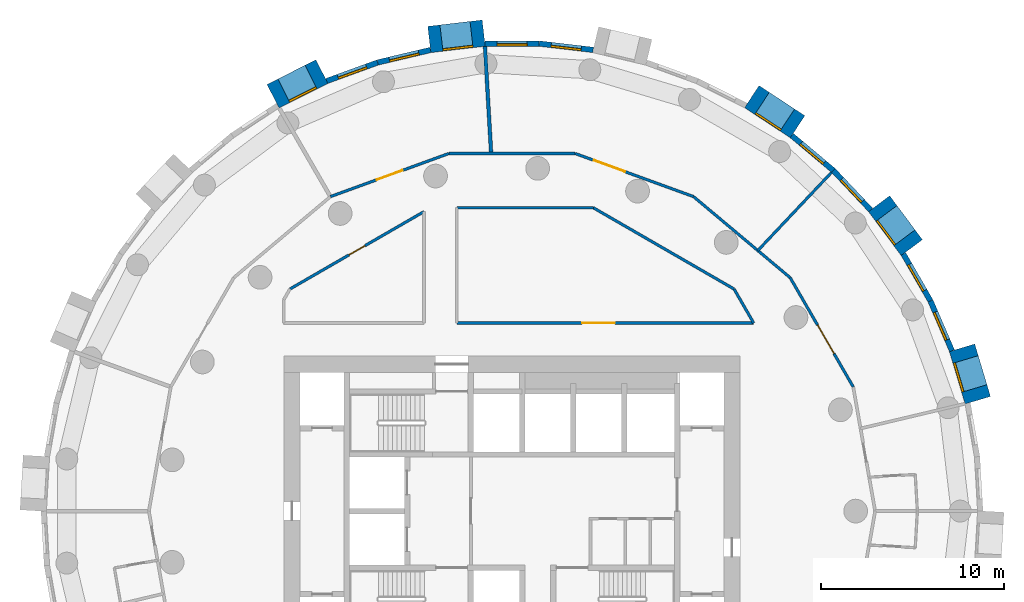
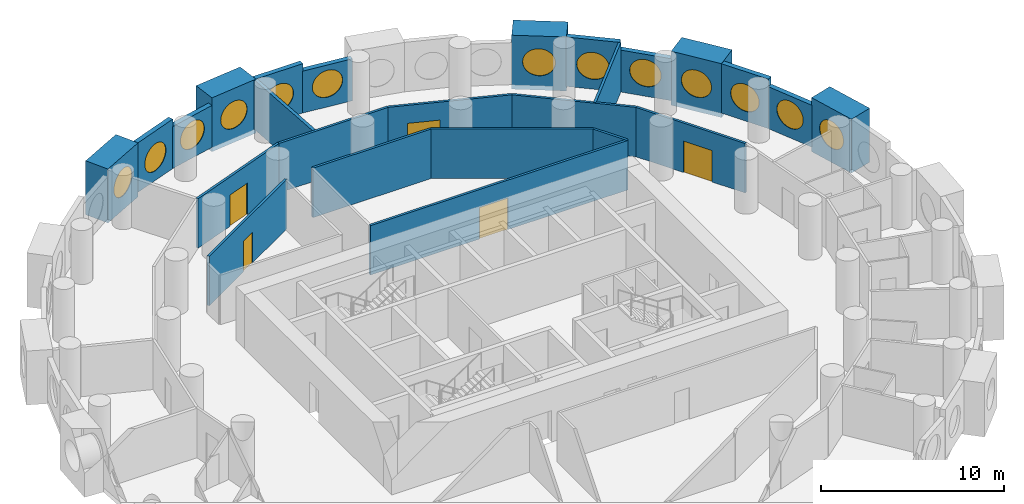
# One storey, part 7 of 9: 25 walls, 13 windows, 5 doors, 18 openings.
"""IFC4 building model written with IfcOpenShell, lengths in metres."""

from ifc_helpers import new_model, si_unit, direction, frame, frame_2d, origin, origin_2d, place, context, subcontext, project, spatial, rectangle, circle, extrude, material, layer, layer_set, type_object, element, fill, save


model = new_model("IFC4")

# Units and contexts
model_context = context("Model", 3, precision=1e-05, world=origin(), true_north=direction((0.0, 1.0)))
body_context = subcontext(model_context, "Body", "Model", "MODEL_VIEW")
ifc_project = project(units=[si_unit("LENGTHUNIT", "METRE"), si_unit("AREAUNIT", "SQUARE_METRE"), si_unit("VOLUMEUNIT", "CUBIC_METRE"), si_unit("PLANEANGLEUNIT", "RADIAN"), si_unit("MASSUNIT", "GRAM", prefix="KILO")], contexts=[model_context])

# Site, building, storey
site_placement = place(None, origin())
site = spatial("IfcSite", under=ifc_project, at=site_placement, CompositionType="ELEMENT")
building_placement = place(site_placement, origin())
building = spatial("IfcBuilding", under=site, at=building_placement, Name="Tracery Tower", CompositionType="ELEMENT")
storey_placement = place(building_placement, frame((0.0, 0.0, 190.800048828125)))
storey = spatial("IfcBuildingStorey", under=building, at=storey_placement, Name="L49", CompositionType="ELEMENT", Elevation=190.800048828125)

# Wall, opening, window
ifc_material_1 = material(Name="Precast concrete C50/60", Category="concrete")
ifc_layer_1 = layer(ifc_material_1, 1.449951171875)
ifc_layer_set_1 = layer_set([ifc_layer_1], Name="Deep-set bay unit 3000 x 3600, slab edge 300")
wall_type_1 = type_object("IfcWallType", Name="Deep-set bay unit 3000 x 3600, slab edge 300", PredefinedType="ELEMENTEDWALL", material=ifc_layer_set_1)
wall_1_placement = place(storey_placement, frame((25.509521484375, 6.0712890625, -0.300048828125), z_axis=(0.0, 0.0, 1.0), x_axis=(-0.286780420304, 0.957996341606, 0.0)))
wall_1 = element("IfcWall", 1, at=wall_1_placement, inside=storey, type_object=wall_type_1, Name="Deep-set bay unit 3 at L49", PredefinedType="ELEMENTEDWALL", context=body_context, shape_type="SweptSolid", body=[
    extrude(rectangle(XDim=3.0, YDim=1.449951171875, at=frame_2d((1.5, 0.0))), origin(), (0.0, 0.0, 1.0), 3.60009765625),
])
opening_1_placement = place(wall_1_placement, frame((1.5, 0.0, 1.85009765625)))
opening_1 = element("IfcOpeningElement", 2, at=opening_1_placement, cuts=wall_1, Name="Opening WN1", PredefinedType="OPENING", context=body_context, shape_type="SweptSolid", body=[
    extrude(circle(Radius=0.9000244140625, at=origin_2d()), frame((0.0, 0.73486328125, 0.0), z_axis=(0.0, -1.0, 0.0), x_axis=(1.0, 0.0, 0.0)), (0.0, 0.0, 1.0), 1.469970703125),
])
ifc_material_2 = material(Name="Aluminium frame with tinted double glazing", Category="aluminium")
window_type = type_object("IfcWindowType", Name="Round window 1800", PartitioningType="SINGLE_PANEL", PredefinedType="WINDOW", material=ifc_material_2)
window_1_placement = place(opening_1_placement, origin())
window_1 = element("IfcWindow", 3, at=window_1_placement, inside=storey, type_object=window_type, Name="Round window 3 at L49", OverallHeight=1.800048828125, OverallWidth=1.800048828125, PartitioningType="SINGLE_PANEL", PredefinedType="WINDOW", context=body_context, shape_type="SweptSolid", body=[
    extrude(circle(Radius=0.9000244140625, at=origin_2d()), frame((0.0, 0.69482421875, 0.0), z_axis=(0.0, -1.0, 0.0), x_axis=(1.0, 0.0, 0.0)), (0.0, 0.0, 1.0), 0.10009765625),
])
fill(opening_1, window_1)

wall_2_placement = place(storey_placement, frame((21.89453125, 14.429931640625, -0.300048828125), z_axis=(0.0, 0.0, 1.0), x_axis=(-0.597183717734, 0.802104486506, 0.0)))
wall_2 = element("IfcWall", 4, at=wall_2_placement, inside=storey, type_object=wall_type_1, Name="Deep-set bay unit 6 at L49", PredefinedType="ELEMENTEDWALL", context=body_context, shape_type="SweptSolid", body=[
    extrude(rectangle(XDim=3.0, YDim=1.449951171875, at=frame_2d((1.5, 0.0))), origin(), (0.0, 0.0, 1.0), 3.60009765625),
])
opening_2_placement = place(wall_2_placement, frame((1.5, 0.0, 1.85009765625)))
opening_2 = element("IfcOpeningElement", 5, at=opening_2_placement, cuts=wall_2, Name="Opening WN1", PredefinedType="OPENING", context=body_context, shape_type="SweptSolid", body=[
    extrude(circle(Radius=0.9000244140625, at=origin_2d()), frame((0.0, 0.73486328125, 0.0), z_axis=(0.0, -1.0, 0.0), x_axis=(1.0, 0.0, 0.0)), (0.0, 0.0, 1.0), 1.469970703125),
])
window_2_placement = place(opening_2_placement, origin())
window_2 = element("IfcWindow", 6, at=window_2_placement, inside=storey, type_object=window_type, Name="Round window 6 at L49", OverallHeight=1.800048828125, OverallWidth=1.800048828125, PartitioningType="SINGLE_PANEL", PredefinedType="WINDOW", context=body_context, shape_type="SweptSolid", body=[
    extrude(circle(Radius=0.9000244140625, at=origin_2d()), frame((0.0, 0.69482421875, 0.0), z_axis=(0.0, -1.0, 0.0), x_axis=(1.0, 0.0, 0.0)), (0.0, 0.0, 1.0), 0.10009765625),
])
fill(opening_2, window_2)

wall_3_placement = place(storey_placement, frame((15.638916015625, 21.048095703125, -0.300048828125), z_axis=(0.0, 0.0, 1.0), x_axis=(-0.835514416706, 0.549468524554, 0.0)))
wall_3 = element("IfcWall", 7, at=wall_3_placement, inside=storey, type_object=wall_type_1, Name="Deep-set bay unit 9 at L49", PredefinedType="ELEMENTEDWALL", context=body_context, shape_type="SweptSolid", body=[
    extrude(rectangle(XDim=3.0, YDim=1.449951171875, at=frame_2d((1.5, 0.0))), origin(), (0.0, 0.0, 1.0), 3.60009765625),
])
opening_3_placement = place(wall_3_placement, frame((1.5, 0.0, 1.85009765625)))
opening_3 = element("IfcOpeningElement", 8, at=opening_3_placement, cuts=wall_3, Name="Opening WN1", PredefinedType="OPENING", context=body_context, shape_type="SweptSolid", body=[
    extrude(circle(Radius=0.9000244140625, at=origin_2d()), frame((0.0, 0.73486328125, 0.0), z_axis=(0.0, -1.0, 0.0), x_axis=(1.0, 0.0, 0.0)), (0.0, 0.0, 1.0), 1.469970703125),
])
window_3_placement = place(opening_3_placement, origin())
window_3 = element("IfcWindow", 9, at=window_3_placement, inside=storey, type_object=window_type, Name="Round window 9 at L49", OverallHeight=1.800048828125, OverallWidth=1.800048828125, PartitioningType="SINGLE_PANEL", PredefinedType="WINDOW", context=body_context, shape_type="SweptSolid", body=[
    extrude(circle(Radius=0.9000244140625, at=origin_2d()), frame((0.0, 0.69482421875, 0.0), z_axis=(0.0, -1.0, 0.0), x_axis=(1.0, 0.0, 0.0)), (0.0, 0.0, 1.0), 0.10009765625),
])
fill(opening_3, window_3)

wall_4_placement = place(storey_placement, frame((-1.54931640625, 26.17626953125, -0.300048828125), z_axis=(0.0, 0.0, 1.0), x_axis=(-0.9932342274, -0.116128246006, 0.0)))
wall_4 = element("IfcWall", 10, at=wall_4_placement, inside=storey, type_object=wall_type_1, Name="Deep-set bay unit 15 at L49", PredefinedType="ELEMENTEDWALL", context=body_context, shape_type="SweptSolid", body=[
    extrude(rectangle(XDim=3.0, YDim=1.449951171875, at=frame_2d((1.5, 0.0))), origin(), (0.0, 0.0, 1.0), 3.60009765625),
])
opening_4_placement = place(wall_4_placement, frame((1.5, 0.0, 1.85009765625)))
opening_4 = element("IfcOpeningElement", 11, at=opening_4_placement, cuts=wall_4, Name="Opening WN1", PredefinedType="OPENING", context=body_context, shape_type="SweptSolid", body=[
    extrude(circle(Radius=0.9000244140625, at=origin_2d()), frame((0.0, 0.73486328125, 0.0), z_axis=(0.0, -1.0, 0.0), x_axis=(1.0, 0.0, 0.0)), (0.0, 0.0, 1.0), 1.469970703125),
])
window_4_placement = place(opening_4_placement, origin())
window_4 = element("IfcWindow", 12, at=window_4_placement, inside=storey, type_object=window_type, Name="Round window 15 at L49", OverallHeight=1.800048828125, OverallWidth=1.800048828125, PartitioningType="SINGLE_PANEL", PredefinedType="WINDOW", context=body_context, shape_type="SweptSolid", body=[
    extrude(circle(Radius=0.9000244140625, at=origin_2d()), frame((0.0, 0.69482421875, 0.0), z_axis=(0.0, -1.0, 0.0), x_axis=(1.0, 0.0, 0.0)), (0.0, 0.0, 1.0), 0.10009765625),
])
fill(opening_4, window_4)

wall_5_placement = place(storey_placement, frame((-10.40869140625, 24.067626953125, -0.300048828125), z_axis=(0.0, 0.0, 1.0), x_axis=(-0.893628249713, -0.448807922518, 0.0)))
wall_5 = element("IfcWall", 13, at=wall_5_placement, inside=storey, type_object=wall_type_1, Name="Deep-set bay unit 18 at L49", PredefinedType="ELEMENTEDWALL", context=body_context, shape_type="SweptSolid", body=[
    extrude(rectangle(XDim=3.0, YDim=1.449951171875, at=frame_2d((1.5, 0.0))), origin(), (0.0, 0.0, 1.0), 3.60009765625),
])
opening_5_placement = place(wall_5_placement, frame((1.5, 0.0, 1.85009765625)))
opening_5 = element("IfcOpeningElement", 14, at=opening_5_placement, cuts=wall_5, Name="Opening WN1", PredefinedType="OPENING", context=body_context, shape_type="SweptSolid", body=[
    extrude(circle(Radius=0.9000244140625, at=origin_2d()), frame((0.0, 0.73486328125, 0.0), z_axis=(0.0, -1.0, 0.0), x_axis=(1.0, 0.0, 0.0)), (0.0, 0.0, 1.0), 1.469970703125),
])
window_5_placement = place(opening_5_placement, origin())
window_5 = element("IfcWindow", 15, at=window_5_placement, inside=storey, type_object=window_type, Name="Round window 18 at L49", OverallHeight=1.800048828125, OverallWidth=1.800048828125, PartitioningType="SINGLE_PANEL", PredefinedType="WINDOW", context=body_context, shape_type="SweptSolid", body=[
    extrude(circle(Radius=0.9000244140625, at=origin_2d()), frame((0.0, 0.69482421875, 0.0), z_axis=(0.0, -1.0, 0.0), x_axis=(1.0, 0.0, 0.0)), (0.0, 0.0, 1.0), 0.10009765625),
])
fill(opening_5, window_5)

ifc_material_3 = material(Name="Precast concrete C50/60", Category="concrete")
ifc_layer_2 = layer(ifc_material_3, 0.300048828125)
ifc_layer_set_2 = layer_set([ifc_layer_2], Name="Facade panel 3000 x 2800")
wall_type_2 = type_object("IfcWallType", Name="Facade panel 3000 x 2800", PredefinedType="SOLIDWALL", material=ifc_layer_set_2)
wall_6_placement = place(storey_placement, frame((24.096923828125, 8.78076171875, 0.0), z_axis=(0.0, 0.0, 1.0), x_axis=(-0.396078892785, 0.918216483565, 0.0)))
wall_6 = element("IfcWall", 16, at=wall_6_placement, inside=storey, type_object=wall_type_2, Name="Facade panel 4 at L49", PredefinedType="SOLIDWALL", context=body_context, shape_type="SweptSolid", body=[
    extrude(rectangle(XDim=2.972900390625, YDim=0.300048828125, at=frame_2d((1.486328125, 0.0))), origin(), (0.0, 0.0, 1.0), 2.800048828125),
])
opening_6_placement = place(wall_6_placement, frame((1.486328125, 0.0, 1.5498046875)))
opening_6 = element("IfcOpeningElement", 17, at=opening_6_placement, cuts=wall_6, Name="Opening WN1", PredefinedType="OPENING", context=body_context, shape_type="SweptSolid", body=[
    extrude(circle(Radius=0.9000244140625, at=origin_2d()), frame((0.0, 0.159912109375, 0.0), z_axis=(0.0, -1.0, 0.0), x_axis=(1.0, 0.0, 0.0)), (0.0, 0.0, 1.0), 0.320068359375),
])
window_6_placement = place(opening_6_placement, origin())
window_6 = element("IfcWindow", 18, at=window_6_placement, inside=storey, type_object=window_type, Name="Round window 4 at L49", OverallHeight=1.800048828125, OverallWidth=1.800048828125, PartitioningType="SINGLE_PANEL", PredefinedType="WINDOW", context=body_context, shape_type="SweptSolid", body=[
    extrude(circle(Radius=0.9000244140625, at=origin_2d()), frame((0.0, 0.1201171875, 0.0), z_axis=(0.0, -1.0, 0.0), x_axis=(1.0, 0.0, 0.0)), (0.0, 0.0, 1.0), 0.10009765625),
])
fill(opening_6, window_6)

wall_7_placement = place(storey_placement, frame((19.640380859375, 16.492919921875, 0.0), z_axis=(0.0, 0.0, 1.0), x_axis=(-0.686235184166, 0.727379730273, 0.0)))
wall_7 = element("IfcWall", 19, at=wall_7_placement, inside=storey, type_object=wall_type_2, Name="Facade panel 7 at L49", PredefinedType="SOLIDWALL", context=body_context, shape_type="SweptSolid", body=[
    extrude(rectangle(XDim=2.972900390625, YDim=0.300048828125, at=frame_2d((1.486328125, 0.0))), origin(), (0.0, 0.0, 1.0), 2.800048828125),
])
opening_7_placement = place(wall_7_placement, frame((1.486328125, 0.0, 1.5498046875)))
opening_7 = element("IfcOpeningElement", 20, at=opening_7_placement, cuts=wall_7, Name="Opening WN1", PredefinedType="OPENING", context=body_context, shape_type="SweptSolid", body=[
    extrude(circle(Radius=0.9000244140625, at=origin_2d()), frame((0.0, 0.159912109375, 0.0), z_axis=(0.0, -1.0, 0.0), x_axis=(1.0, 0.0, 0.0)), (0.0, 0.0, 1.0), 0.320068359375),
])
window_7_placement = place(opening_7_placement, origin())
window_7 = element("IfcWindow", 21, at=window_7_placement, inside=storey, type_object=window_type, Name="Round window 7 at L49", OverallHeight=1.800048828125, OverallWidth=1.800048828125, PartitioningType="SINGLE_PANEL", PredefinedType="WINDOW", context=body_context, shape_type="SweptSolid", body=[
    extrude(circle(Radius=0.9000244140625, at=origin_2d()), frame((0.0, 0.1201171875, 0.0), z_axis=(0.0, -1.0, 0.0), x_axis=(1.0, 0.0, 0.0)), (0.0, 0.0, 1.0), 0.10009765625),
])
fill(opening_7, window_7)

wall_8_placement = place(storey_placement, frame((4.444091796875, 25.259033203125, 0.0), z_axis=(0.0, 0.0, 1.0), x_axis=(-0.993245010522, 0.1160359818, 0.0)))
wall_8 = element("IfcWall", 22, at=wall_8_placement, inside=storey, type_object=wall_type_2, Name="Facade panel 13 at L49", PredefinedType="SOLIDWALL", context=body_context, shape_type="SweptSolid", body=[
    extrude(rectangle(XDim=2.972900390625, YDim=0.300048828125, at=frame_2d((1.486328125, 0.0))), origin(), (0.0, 0.0, 1.0), 2.800048828125),
])
opening_8_placement = place(wall_8_placement, frame((1.486328125, 0.0, 1.5498046875)))
opening_8 = element("IfcOpeningElement", 23, at=opening_8_placement, cuts=wall_8, Name="Opening WN1", PredefinedType="OPENING", context=body_context, shape_type="SweptSolid", body=[
    extrude(circle(Radius=0.9000244140625, at=origin_2d()), frame((0.0, 0.159912109375, 0.0), z_axis=(0.0, -1.0, 0.0), x_axis=(1.0, 0.0, 0.0)), (0.0, 0.0, 1.0), 0.320068359375),
])
window_8_placement = place(opening_8_placement, origin())
window_8 = element("IfcWindow", 24, at=window_8_placement, inside=storey, type_object=window_type, Name="Round window 13 at L49", OverallHeight=1.800048828125, OverallWidth=1.800048828125, PartitioningType="SINGLE_PANEL", PredefinedType="WINDOW", context=body_context, shape_type="SweptSolid", body=[
    extrude(circle(Radius=0.9000244140625, at=origin_2d()), frame((0.0, 0.1201171875, 0.0), z_axis=(0.0, -1.0, 0.0), x_axis=(1.0, 0.0, 0.0)), (0.0, 0.0, 1.0), 0.10009765625),
])
fill(opening_8, window_8)

wall_9_placement = place(storey_placement, frame((-4.463134765625, 25.255615234375, 0.0), z_axis=(0.0, 0.0, 1.0), x_axis=(-0.973045378923, -0.230613725862, 0.0)))
wall_9 = element("IfcWall", 25, at=wall_9_placement, inside=storey, type_object=wall_type_2, Name="Facade panel 16 at L49", PredefinedType="SOLIDWALL", context=body_context, shape_type="SweptSolid", body=[
    extrude(rectangle(XDim=2.97265625, YDim=0.300048828125, at=frame_2d((1.486328125, 0.0))), origin(), (0.0, 0.0, 1.0), 2.800048828125),
])
opening_9_placement = place(wall_9_placement, frame((1.486328125, 0.0, 1.5498046875)))
opening_9 = element("IfcOpeningElement", 26, at=opening_9_placement, cuts=wall_9, Name="Opening WN1", PredefinedType="OPENING", context=body_context, shape_type="SweptSolid", body=[
    extrude(circle(Radius=0.9000244140625, at=origin_2d()), frame((0.0, 0.159912109375, 0.0), z_axis=(0.0, -1.0, 0.0), x_axis=(1.0, 0.0, 0.0)), (0.0, 0.0, 1.0), 0.320068359375),
])
window_9_placement = place(opening_9_placement, origin())
window_9 = element("IfcWindow", 27, at=window_9_placement, inside=storey, type_object=window_type, Name="Round window 16 at L49", OverallHeight=1.800048828125, OverallWidth=1.800048828125, PartitioningType="SINGLE_PANEL", PredefinedType="WINDOW", context=body_context, shape_type="SweptSolid", body=[
    extrude(circle(Radius=0.9000244140625, at=origin_2d()), frame((0.0, 0.1201171875, 0.0), z_axis=(0.0, -1.0, 0.0), x_axis=(1.0, 0.0, 0.0)), (0.0, 0.0, 1.0), 0.10009765625),
])
fill(opening_9, window_9)

ifc_material_4 = material(Name="Precast concrete C50/60", Category="concrete")
ifc_layer_3 = layer(ifc_material_4, 0.300048828125)
ifc_layer_set_3 = layer_set([ifc_layer_3], Name="Facade panel 3000 x 3300")
wall_type_3 = type_object("IfcWallType", Name="Facade panel 3000 x 3300", PredefinedType="SOLIDWALL", material=ifc_layer_set_3)
wall_10_placement = place(storey_placement, frame((22.91943359375, 11.510498046875, 0.0), z_axis=(0.0, 0.0, 1.0), x_axis=(-0.500016263033, 0.866016014115, 0.0)))
wall_10 = element("IfcWall", 28, at=wall_10_placement, inside=storey, type_object=wall_type_3, Name="Facade panel 5 at L49", PredefinedType="SOLIDWALL", context=body_context, shape_type="SweptSolid", body=[
    extrude(rectangle(XDim=2.97314453125, YDim=0.300048828125, at=frame_2d((1.486572265625, 0.0))), origin(), (0.0, 0.0, 1.0), 3.300048828125),
])
opening_10_placement = place(wall_10_placement, frame((1.486328125, 0.0, 1.5498046875)))
opening_10 = element("IfcOpeningElement", 29, at=opening_10_placement, cuts=wall_10, Name="Opening WN1", PredefinedType="OPENING", context=body_context, shape_type="SweptSolid", body=[
    extrude(circle(Radius=0.9000244140625, at=origin_2d()), frame((0.0, 0.159912109375, 0.0), z_axis=(0.0, -1.0, 0.0), x_axis=(1.0, 0.0, 0.0)), (0.0, 0.0, 1.0), 0.320068359375),
])
window_10_placement = place(opening_10_placement, origin())
window_10 = element("IfcWindow", 30, at=window_10_placement, inside=storey, type_object=window_type, Name="Round window 5 at L49", OverallHeight=1.800048828125, OverallWidth=1.800048828125, PartitioningType="SINGLE_PANEL", PredefinedType="WINDOW", context=body_context, shape_type="SweptSolid", body=[
    extrude(circle(Radius=0.9000244140625, at=origin_2d()), frame((0.0, 0.1201171875, 0.0), z_axis=(0.0, -1.0, 0.0), x_axis=(1.0, 0.0, 0.0)), (0.0, 0.0, 1.0), 0.10009765625),
])
fill(opening_10, window_10)

wall_11_placement = place(storey_placement, frame((17.600341796875, 18.6552734375, 0.0), z_axis=(0.0, 0.0, 1.0), x_axis=(-0.766049350637, 0.642781761089, 0.0)))
wall_11 = element("IfcWall", 31, at=wall_11_placement, inside=storey, type_object=wall_type_3, Name="Facade panel 8 at L49", PredefinedType="SOLIDWALL", context=body_context, shape_type="SweptSolid", body=[
    extrude(rectangle(XDim=2.972900390625, YDim=0.300048828125, at=frame_2d((1.486328125, 0.0))), origin(), (0.0, 0.0, 1.0), 3.300048828125),
])
opening_11_placement = place(wall_11_placement, frame((1.486328125, 0.0, 1.5498046875)))
opening_11 = element("IfcOpeningElement", 32, at=opening_11_placement, cuts=wall_11, Name="Opening WN1", PredefinedType="OPENING", context=body_context, shape_type="SweptSolid", body=[
    extrude(circle(Radius=0.9000244140625, at=origin_2d()), frame((0.0, 0.159912109375, 0.0), z_axis=(0.0, -1.0, 0.0), x_axis=(1.0, 0.0, 0.0)), (0.0, 0.0, 1.0), 0.320068359375),
])
window_11_placement = place(opening_11_placement, origin())
window_11 = element("IfcWindow", 33, at=window_11_placement, inside=storey, type_object=window_type, Name="Round window 8 at L49", OverallHeight=1.800048828125, OverallWidth=1.800048828125, PartitioningType="SINGLE_PANEL", PredefinedType="WINDOW", context=body_context, shape_type="SweptSolid", body=[
    extrude(circle(Radius=0.9000244140625, at=origin_2d()), frame((0.0, 0.1201171875, 0.0), z_axis=(0.0, -1.0, 0.0), x_axis=(1.0, 0.0, 0.0)), (0.0, 0.0, 1.0), 0.10009765625),
])
fill(opening_11, window_11)

wall_12_placement = place(storey_placement, frame((1.4912109375, 25.60400390625, 0.0), z_axis=(0.0, 0.0, 1.0), x_axis=(-1.0, 0.0, 0.0)))
wall_12 = element("IfcWall", 34, at=wall_12_placement, inside=storey, type_object=wall_type_3, Name="Facade panel 14 at L49", PredefinedType="SOLIDWALL", context=body_context, shape_type="SweptSolid", body=[
    extrude(rectangle(XDim=2.972900390625, YDim=0.300048828125, at=frame_2d((1.486328125, 0.0))), origin(), (0.0, 0.0, 1.0), 3.300048828125),
])
opening_12_placement = place(wall_12_placement, frame((1.486328125, 0.0, 1.5498046875)))
opening_12 = element("IfcOpeningElement", 35, at=opening_12_placement, cuts=wall_12, Name="Opening WN1", PredefinedType="OPENING", context=body_context, shape_type="SweptSolid", body=[
    extrude(circle(Radius=0.9000244140625, at=origin_2d()), frame((0.0, 0.159912109375, 0.0), z_axis=(0.0, -1.0, 0.0), x_axis=(1.0, 0.0, 0.0)), (0.0, 0.0, 1.0), 0.320068359375),
])
window_12_placement = place(opening_12_placement, origin())
window_12 = element("IfcWindow", 36, at=window_12_placement, inside=storey, type_object=window_type, Name="Round window 14 at L49", OverallHeight=1.800048828125, OverallWidth=1.800048828125, PartitioningType="SINGLE_PANEL", PredefinedType="WINDOW", context=body_context, shape_type="SweptSolid", body=[
    extrude(circle(Radius=0.9000244140625, at=origin_2d()), frame((0.0, 0.1201171875, 0.0), z_axis=(0.0, -1.0, 0.0), x_axis=(1.0, 0.0, 0.0)), (0.0, 0.0, 1.0), 0.10009765625),
])
fill(opening_12, window_12)

wall_13_placement = place(storey_placement, frame((-7.355712890625, 24.570068359375, 0.0), z_axis=(0.0, 0.0, 1.0), x_axis=(-0.939690282133, -0.342026568652, 0.0)))
wall_13 = element("IfcWall", 37, at=wall_13_placement, inside=storey, type_object=wall_type_3, Name="Facade panel 17 at L49", PredefinedType="SOLIDWALL", context=body_context, shape_type="SweptSolid", body=[
    extrude(rectangle(XDim=2.972900390625, YDim=0.300048828125, at=frame_2d((1.486328125, 0.0))), origin(), (0.0, 0.0, 1.0), 3.300048828125),
])
opening_13_placement = place(wall_13_placement, frame((1.486328125, 0.0, 1.5498046875)))
opening_13 = element("IfcOpeningElement", 38, at=opening_13_placement, cuts=wall_13, Name="Opening WN1", PredefinedType="OPENING", context=body_context, shape_type="SweptSolid", body=[
    extrude(circle(Radius=0.9000244140625, at=origin_2d()), frame((0.0, 0.159912109375, 0.0), z_axis=(0.0, -1.0, 0.0), x_axis=(1.0, 0.0, 0.0)), (0.0, 0.0, 1.0), 0.320068359375),
])
window_13_placement = place(opening_13_placement, origin())
window_13 = element("IfcWindow", 39, at=window_13_placement, inside=storey, type_object=window_type, Name="Round window 17 at L49", OverallHeight=1.800048828125, OverallWidth=1.800048828125, PartitioningType="SINGLE_PANEL", PredefinedType="WINDOW", context=body_context, shape_type="SweptSolid", body=[
    extrude(circle(Radius=0.9000244140625, at=origin_2d()), frame((0.0, 0.1201171875, 0.0), z_axis=(0.0, -1.0, 0.0), x_axis=(1.0, 0.0, 0.0)), (0.0, 0.0, 1.0), 0.10009765625),
])
fill(opening_13, window_13)

# Wall
ifc_material_5 = material(Name="Plasterboard on steel studs", Category="steel")
ifc_layer_4 = layer(ifc_material_5, 0.14990234375)
ifc_layer_set_4 = layer_set([ifc_layer_4], Name="Partition 150 acoustic unit wall")
wall_type_4 = type_object("IfcWallType", Name="Partition 150 acoustic unit wall", PredefinedType="PARTITIONING", material=ifc_layer_set_4)
wall_14_placement = place(storey_placement, frame((13.462890625, 14.27001953125, 0.0), z_axis=(0.0, 0.0, 1.0), x_axis=(0.6862502776, 0.72736549031, 0.0)))
element("IfcWall", 40, at=wall_14_placement, inside=storey, type_object=wall_type_4, Name="Unit wall RB7-044", PredefinedType="PARTITIONING", context=body_context, shape_type="SweptSolid", body=[
    extrude(rectangle(XDim=5.878662109375, YDim=0.14990234375, at=frame_2d((2.939453125, 0.0))), origin(), (0.0, 0.0, 1.0), 3.300048828125),
])

# Wall, opening, door
ifc_material_6 = material(Name="Plasterboard on steel studs", Category="steel")
ifc_layer_5 = layer(ifc_material_6, 0.14990234375)
ifc_layer_set_5 = layer_set([ifc_layer_5], Name="Partition 150 corridor wall")
wall_type_5 = type_object("IfcWallType", Name="Partition 150 corridor wall", PredefinedType="PARTITIONING", material=ifc_layer_set_5)
wall_15_placement = place(storey_placement, frame((-3.02490234375, 10.300048828125, 0.0), z_axis=(0.0, 0.0, 1.0), x_axis=(1.0, 0.0, 0.0)))
wall_15 = element("IfcWall", 41, at=wall_15_placement, inside=storey, type_object=wall_type_5, Name="Corridor wall RB7-002", PredefinedType="PARTITIONING", context=body_context, shape_type="SweptSolid", body=[
    extrude(rectangle(XDim=16.261962890625, YDim=0.14990234375, at=frame_2d((8.130859375, 0.0))), origin(), (0.0, 0.0, 1.0), 3.300048828125),
])
opening_14_placement = place(wall_15_placement, frame((6.863037109375, 0.0, 0.0)))
opening_14 = element("IfcOpeningElement", 42, at=opening_14_placement, cuts=wall_15, Name="Opening RB7-02", PredefinedType="OPENING", context=body_context, shape_type="SweptSolid", body=[
    extrude(rectangle(XDim=1.800048828125, YDim=2.10009765625, at=frame_2d((0.89990234375, 1.050048828125))), frame((0.0, 0.074951171875, 0.0), z_axis=(0.0, -1.0, 0.0), x_axis=(1.0, 0.0, 0.0)), (0.0, 0.0, 1.0), 0.14990234375),
])
ifc_material_7 = material(Name="Timber door leaf", Category="wood")
door_type_1 = type_object("IfcDoorType", Name="Door double lounge 1800", OperationType="NOTDEFINED", PredefinedType="DOOR", material=ifc_material_7)
door_1_placement = place(opening_14_placement, origin())
door_1 = element("IfcDoor", 43, at=door_1_placement, inside=storey, type_object=door_type_1, Name="Double lounge door RB7-02", OperationType="DOUBLE_DOOR_SINGLE_SWING", OverallHeight=2.10009765625, OverallWidth=1.800048828125, PredefinedType="DOOR", context=body_context, shape_type="SweptSolid", body=[
    extrude(rectangle(XDim=1.800048828125, YDim=2.10009765625, at=frame_2d((0.89990234375, 1.050048828125))), frame((0.0, 0.02490234375, 0.0), z_axis=(0.0, -1.0, 0.0), x_axis=(1.0, 0.0, 0.0)), (0.0, 0.0, 1.0), 0.050048828125),
])
fill(opening_14, door_1)

# Walls
wall_16_placement = place(storey_placement, frame((12.162109375, 12.162109375, 0.0), z_axis=(0.0, 0.0, 1.0), x_axis=(0.499961633463, -0.866047553582, 0.0)))
element("IfcWall", 44, at=wall_16_placement, inside=storey, type_object=wall_type_5, Name="Corridor wall RB7-005", PredefinedType="PARTITIONING", context=body_context, shape_type="SweptSolid", body=[
    extrude(rectangle(XDim=2.150146484375, YDim=0.14990234375, at=frame_2d((1.0751953125, 0.0))), origin(), (0.0, 0.0, 1.0), 3.300048828125),
])
wall_17_placement = place(storey_placement, frame((9.943359375, 17.22216796875, 0.0), z_axis=(0.0, 0.0, 1.0), x_axis=(0.766192104565, -0.642611592567, 0.0)))
element("IfcWall", 45, at=wall_17_placement, inside=storey, type_object=wall_type_5, Name="Corridor wall RB7-008", PredefinedType="PARTITIONING", context=body_context, shape_type="SweptSolid", body=[
    extrude(rectangle(XDim=6.906494140625, YDim=0.14990234375, at=frame_2d((3.453125, 0.0))), origin(), (0.0, 0.0, 1.0), 3.300048828125),
])

# Wall, opening, door
wall_18_placement = place(storey_placement, frame((15.235107421875, 12.783935546875, 0.0), z_axis=(0.0, 0.0, 1.0), x_axis=(0.499914202267, -0.866074933462, 0.0)))
wall_18 = element("IfcWall", 46, at=wall_18_placement, inside=storey, type_object=wall_type_5, Name="Corridor wall RB7-009", PredefinedType="PARTITIONING", context=body_context, shape_type="SweptSolid", body=[
    extrude(rectangle(XDim=6.906982421875, YDim=0.14990234375, at=frame_2d((3.45361328125, 0.0))), origin(), (0.0, 0.0, 1.0), 3.300048828125),
])
opening_15_placement = place(wall_18_placement, frame((3.00390625, 0.0, 0.0)))
opening_15 = element("IfcOpeningElement", 47, at=opening_15_placement, cuts=wall_18, Name="Opening RB7-07", PredefinedType="OPENING", context=body_context, shape_type="SweptSolid", body=[
    extrude(rectangle(XDim=1.800048828125, YDim=2.10009765625, at=frame_2d((0.89990234375, 1.050048828125))), frame((0.0, 0.074951171875, 0.0), z_axis=(0.0, -1.0, 0.0), x_axis=(1.0, 0.0, 0.0)), (0.0, 0.0, 1.0), 0.14990234375),
])
door_2_placement = place(opening_15_placement, origin())
door_2 = element("IfcDoor", 48, at=door_2_placement, inside=storey, type_object=door_type_1, Name="Double lounge door RB7-07", OperationType="DOUBLE_DOOR_SINGLE_SWING", OverallHeight=2.10009765625, OverallWidth=1.800048828125, PredefinedType="DOOR", context=body_context, shape_type="SweptSolid", body=[
    extrude(rectangle(XDim=1.800048828125, YDim=2.10009765625, at=frame_2d((0.89990234375, 1.050048828125))), frame((0.0, 0.02490234375, 0.0), z_axis=(0.0, -1.0, 0.0), x_axis=(1.0, 0.0, 0.0)), (0.0, 0.0, 1.0), 0.050048828125),
])
fill(opening_15, door_2)

wall_19_placement = place(storey_placement, frame((-12.162109375, 12.162109375, 0.0), z_axis=(0.0, 0.0, 1.0), x_axis=(0.866004766557, 0.500035743023, 0.0)))
wall_19 = element("IfcWall", 49, at=wall_19_placement, inside=storey, type_object=wall_type_5, Name="Corridor wall RB7-015", PredefinedType="PARTITIONING", context=body_context, shape_type="SweptSolid", body=[
    extrude(rectangle(XDim=8.47705078125, YDim=0.14990234375, at=frame_2d((4.238525390625, 0.0))), origin(), (0.0, 0.0, 1.0), 3.300048828125),
])
opening_16_placement = place(wall_19_placement, frame((3.739013671875, 0.0, 0.0)))
opening_16 = element("IfcOpeningElement", 50, at=opening_16_placement, cuts=wall_19, Name="Opening RB7-01", PredefinedType="OPENING", context=body_context, shape_type="SweptSolid", body=[
    extrude(rectangle(XDim=1.0, YDim=2.0400390625, at=frame_2d((0.5, 1.02001953125))), frame((0.0, 0.074951171875, 0.0), z_axis=(0.0, -1.0, 0.0), x_axis=(1.0, 0.0, 0.0)), (0.0, 0.0, 1.0), 0.14990234375),
])
ifc_material_8 = material(Name="Timber door leaf", Category="wood")
door_type_2 = type_object("IfcDoorType", Name="Door communal room 1000", OperationType="NOTDEFINED", PredefinedType="DOOR", material=ifc_material_8)
door_3_placement = place(opening_16_placement, origin())
door_3 = element("IfcDoor", 51, at=door_3_placement, inside=storey, type_object=door_type_2, Name="Communal room door RB7-01", OperationType="SINGLE_SWING_LEFT", OverallHeight=2.0400390625, OverallWidth=1.0, PredefinedType="DOOR", context=body_context, shape_type="SweptSolid", body=[
    extrude(rectangle(XDim=1.0, YDim=2.0400390625, at=frame_2d((0.5, 1.02001953125))), frame((0.0, 0.02490234375, 0.0), z_axis=(0.0, -1.0, 0.0), x_axis=(1.0, 0.0, 0.0)), (0.0, 0.0, 1.0), 0.050048828125),
])
fill(opening_16, door_3)

# Walls
wall_20_placement = place(storey_placement, frame((4.451904296875, 16.614013671875, 0.0), z_axis=(0.0, 0.0, 1.0), x_axis=(0.866005203721, -0.500034985904, 0.0)))
element("IfcWall", 52, at=wall_20_placement, inside=storey, type_object=wall_type_5, Name="Corridor wall RB7-016", PredefinedType="PARTITIONING", context=body_context, shape_type="SweptSolid", body=[
    extrude(rectangle(XDim=8.903076171875, YDim=0.14990234375, at=frame_2d((4.45166015625, 0.0))), origin(), (0.0, 0.0, 1.0), 3.300048828125),
])
wall_21_placement = place(storey_placement, frame((-3.02099609375, 16.614013671875, 0.0), z_axis=(0.0, 0.0, 1.0), x_axis=(1.0, 0.0, 0.0)))
element("IfcWall", 53, at=wall_21_placement, inside=storey, type_object=wall_type_5, Name="Corridor wall RB7-017", PredefinedType="PARTITIONING", context=body_context, shape_type="SweptSolid", body=[
    extrude(rectangle(XDim=7.472900390625, YDim=0.14990234375, at=frame_2d((3.736328125, 0.0))), origin(), (0.0, 0.0, 1.0), 3.300048828125),
])
wall_22_placement = place(storey_placement, frame((-3.452880859375, 19.5859375, 0.0), z_axis=(0.0, 0.0, 1.0), x_axis=(1.0, 0.0, 0.0)))
element("IfcWall", 54, at=wall_22_placement, inside=storey, type_object=wall_type_5, Name="Corridor wall RB7-019", PredefinedType="PARTITIONING", context=body_context, shape_type="SweptSolid", body=[
    extrude(rectangle(XDim=6.90576171875, YDim=0.14990234375, at=frame_2d((3.452880859375, 0.0))), origin(), (0.0, 0.0, 1.0), 3.300048828125),
])

# Wall, opening, door
wall_23_placement = place(storey_placement, frame((3.452880859375, 19.5859375, 0.0), z_axis=(0.0, 0.0, 1.0), x_axis=(0.939672634566, -0.342075050021, 0.0)))
wall_23 = element("IfcWall", 55, at=wall_23_placement, inside=storey, type_object=wall_type_5, Name="Corridor wall RB7-020", PredefinedType="PARTITIONING", context=body_context, shape_type="SweptSolid", body=[
    extrude(rectangle(XDim=6.907958984375, YDim=0.14990234375, at=frame_2d((3.4541015625, 0.0))), origin(), (0.0, 0.0, 1.0), 3.300048828125),
])
opening_17_placement = place(wall_23_placement, frame((1.10400390625, 0.0, 0.0)))
opening_17 = element("IfcOpeningElement", 56, at=opening_17_placement, cuts=wall_23, Name="Opening RB7-08", PredefinedType="OPENING", context=body_context, shape_type="SweptSolid", body=[
    extrude(rectangle(XDim=1.800048828125, YDim=2.10009765625, at=frame_2d((0.89990234375, 1.050048828125))), frame((0.0, 0.074951171875, 0.0), z_axis=(0.0, -1.0, 0.0), x_axis=(1.0, 0.0, 0.0)), (0.0, 0.0, 1.0), 0.14990234375),
])
door_4_placement = place(opening_17_placement, origin())
door_4 = element("IfcDoor", 57, at=door_4_placement, inside=storey, type_object=door_type_1, Name="Double lounge door RB7-08", OperationType="DOUBLE_DOOR_SINGLE_SWING", OverallHeight=2.10009765625, OverallWidth=1.800048828125, PredefinedType="DOOR", context=body_context, shape_type="SweptSolid", body=[
    extrude(rectangle(XDim=1.800048828125, YDim=2.10009765625, at=frame_2d((0.89990234375, 1.050048828125))), frame((0.0, 0.02490234375, 0.0), z_axis=(0.0, -1.0, 0.0), x_axis=(1.0, 0.0, 0.0)), (0.0, 0.0, 1.0), 0.050048828125),
])
fill(opening_17, door_4)

wall_24_placement = place(storey_placement, frame((-9.944091796875, 17.222900390625, 0.0), z_axis=(0.0, 0.0, 1.0), x_axis=(0.939672634566, 0.342075050021, 0.0)))
wall_24 = element("IfcWall", 58, at=wall_24_placement, inside=storey, type_object=wall_type_5, Name="Corridor wall RB7-021", PredefinedType="PARTITIONING", context=body_context, shape_type="SweptSolid", body=[
    extrude(rectangle(XDim=6.907958984375, YDim=0.14990234375, at=frame_2d((3.4541015625, 0.0))), origin(), (0.0, 0.0, 1.0), 3.300048828125),
])
opening_18_placement = place(wall_24_placement, frame((2.7041015625, 0.0, 0.0)))
opening_18 = element("IfcOpeningElement", 59, at=opening_18_placement, cuts=wall_24, Name="Opening RB7-09", PredefinedType="OPENING", context=body_context, shape_type="SweptSolid", body=[
    extrude(rectangle(XDim=1.5, YDim=2.10009765625, at=frame_2d((0.75, 1.050048828125))), frame((0.0, 0.074951171875, 0.0), z_axis=(0.0, -1.0, 0.0), x_axis=(1.0, 0.0, 0.0)), (0.0, 0.0, 1.0), 0.14990234375),
])
ifc_material_9 = material(Name="Timber door leaf", Category="wood")
door_type_3 = type_object("IfcDoorType", Name="Door double kitchen 1500", OperationType="NOTDEFINED", PredefinedType="DOOR", material=ifc_material_9)
door_5_placement = place(opening_18_placement, origin())
door_5 = element("IfcDoor", 60, at=door_5_placement, inside=storey, type_object=door_type_3, Name="Double kitchen door RB7-09", OperationType="DOUBLE_DOOR_SINGLE_SWING", OverallHeight=2.10009765625, OverallWidth=1.5, PredefinedType="DOOR", context=body_context, shape_type="SweptSolid", body=[
    extrude(rectangle(XDim=1.5, YDim=2.10009765625, at=frame_2d((0.75, 1.050048828125))), frame((0.0, 0.02490234375, 0.0), z_axis=(0.0, -1.0, 0.0), x_axis=(1.0, 0.0, 0.0)), (0.0, 0.0, 1.0), 0.050048828125),
])
fill(opening_18, door_5)

# Wall
ifc_material_10 = material(Name="Plasterboard on steel studs", Category="steel")
ifc_layer_6 = layer(ifc_material_10, 0.199951171875)
ifc_layer_set_6 = layer_set([ifc_layer_6], Name="Partition 200 compartment wall")
wall_type_6 = type_object("IfcWallType", Name="Partition 200 compartment wall", PredefinedType="PARTITIONING", material=ifc_layer_set_6)
wall_25_placement = place(storey_placement, frame((-1.48291015625, 25.4541015625, 0.0), z_axis=(0.0, 0.0, 1.0), x_axis=(0.058147412668, -0.998308007781, 0.0)))
element("IfcWall", 61, at=wall_25_placement, inside=storey, type_object=wall_type_6, Name="Compartment wall RB7-045", PredefinedType="PARTITIONING", context=body_context, shape_type="SweptSolid", body=[
    extrude(rectangle(XDim=5.878173828125, YDim=0.199951171875, at=frame_2d((2.93896484375, 0.0))), origin(), (0.0, 0.0, 1.0), 3.300048828125),
])

save(model, "model.ifc")
